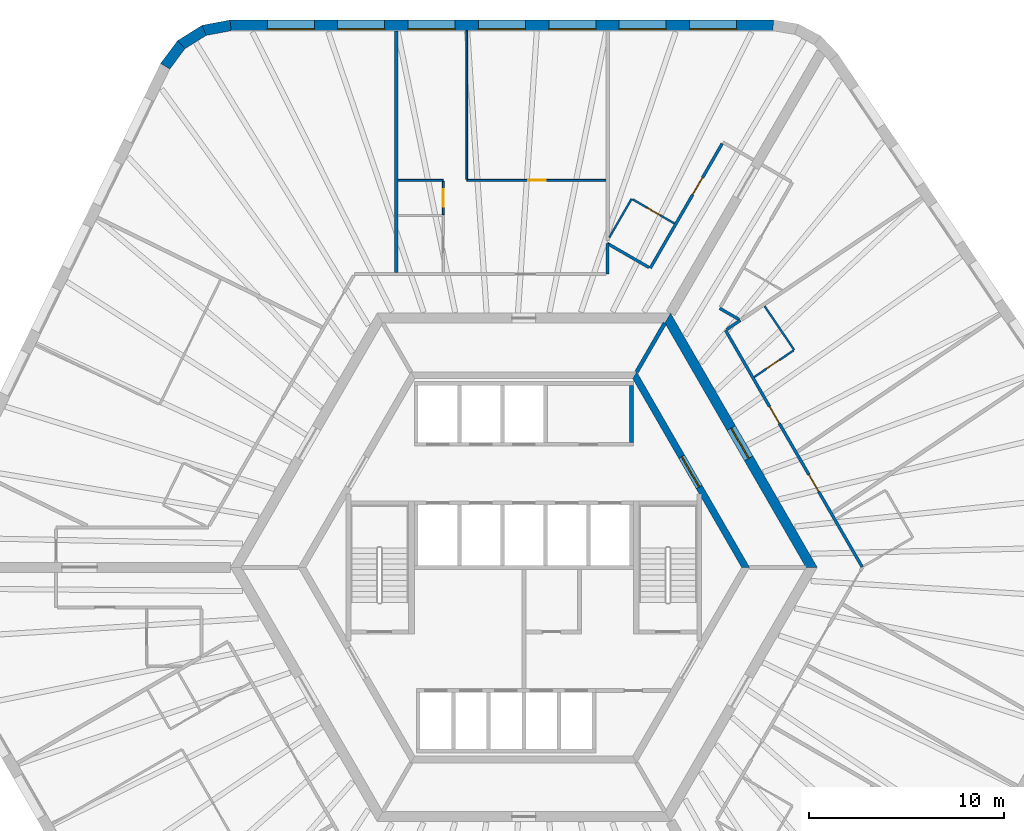
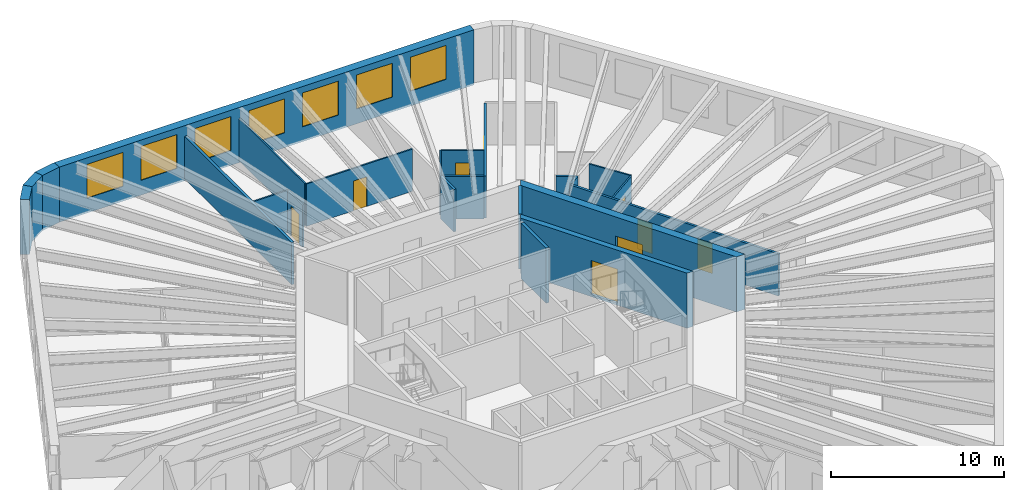
# One storey, part 8 of 10: 23 walls, 9 doors, 7 windows, 16 openings.
"""IFC4 building model written with IfcOpenShell, lengths in metres."""

from ifc_helpers import new_model, si_unit, direction, frame, frame_2d, origin, place, context, subcontext, project, spatial, polyline, rectangle, outline, extrude, material, layer, layer_set, type_object, element, fill, save


model = new_model("IFC4")

# Units and contexts
model_context = context("Model", 3, precision=1e-05, world=origin(), true_north=direction((0.0, 1.0)))
body_context = subcontext(model_context, "Body", "Model", "MODEL_VIEW")
ifc_project = project(units=[si_unit("LENGTHUNIT", "METRE"), si_unit("AREAUNIT", "SQUARE_METRE"), si_unit("VOLUMEUNIT", "CUBIC_METRE"), si_unit("PLANEANGLEUNIT", "RADIAN"), si_unit("MASSUNIT", "GRAM", prefix="KILO")], contexts=[model_context])

# Site, building, storey
site_placement = place(None, origin())
site = spatial("IfcSite", under=ifc_project, at=site_placement, CompositionType="ELEMENT")
building_placement = place(site_placement, origin())
building = spatial("IfcBuilding", under=site, at=building_placement, Name="Tarnside Tower", CompositionType="ELEMENT")
storey_placement = place(building_placement, frame((0.0, 0.0, 199.5)))
storey = spatial("IfcBuildingStorey", under=building, at=storey_placement, Name="L47", CompositionType="ELEMENT", Elevation=199.5)

# Wall
ifc_material_1 = material(Name="Gypsum board partition on steel studs", Category="steel")
ifc_layer_1 = layer(ifc_material_1, 0.10009765625)
ifc_layer_set_1 = layer_set([ifc_layer_1], Name="Bathroom wall 100")
wall_type_1 = type_object("IfcWallType", Name="Bathroom wall 100", PredefinedType="PARTITIONING", material=ifc_layer_set_1)
wall_1_placement = place(storey_placement, frame((4.3720703125, 16.872802734375, 0.0), z_axis=(0.0, 0.0, 1.0), x_axis=(0.500005641832, 0.866022146447, 0.0)))
element("IfcWall", 1, at=wall_1_placement, inside=storey, type_object=wall_type_1, Name="Bathroom wall 15050", PredefinedType="PARTITIONING", context=body_context, shape_type="SweptSolid", body=[
    extrude(rectangle(XDim=2.28857421875, YDim=0.10009765625, at=frame_2d((1.144287109375, 0.0))), origin(), (0.0, 0.0, 1.0), 2.98779296875),
])

# Wall, opening, door
wall_2_placement = place(storey_placement, frame((5.559814453125, 18.829833984375, 0.0), z_axis=(0.0, 0.0, 1.0), x_axis=(0.866006523861, -0.500032699561, 0.0)))
wall_2 = element("IfcWall", 2, at=wall_2_placement, inside=storey, type_object=wall_type_1, Name="Bathroom wall 15051", PredefinedType="PARTITIONING", context=body_context, shape_type="SweptSolid", body=[
    extrude(rectangle(XDim=2.474853515625, YDim=0.10009765625, at=frame_2d((1.2373046875, 0.0))), origin(), (0.0, 0.0, 1.0), 2.98779296875),
])
opening_1_placement = place(wall_2_placement, frame((0.85009765625, 0.0, 0.0)))
opening_1 = element("IfcOpeningElement", 3, at=opening_1_placement, cuts=wall_2, Name="Opening D-B1", PredefinedType="OPENING", context=body_context, shape_type="SweptSolid", body=[
    extrude(rectangle(XDim=0.800048828125, YDim=2.10009765625, at=frame_2d((0.39990234375, 1.050048828125))), frame((0.0, 0.06005859375, 0.0), z_axis=(0.0, -1.0, 0.0), x_axis=(1.0, 0.0, 0.0)), (0.0, 0.0, 1.0), 0.1201171875),
])
ifc_material_2 = material(Name="Timber door leaf", Category="wood")
door_type_1 = type_object("IfcDoorType", Name="Bathroom door 800", OperationType="NOTDEFINED", PredefinedType="DOOR", material=ifc_material_2)
door_1_placement = place(opening_1_placement, origin())
door_1 = element("IfcDoor", 4, at=door_1_placement, inside=storey, type_object=door_type_1, Name="Bathroom door 15002", OperationType="SINGLE_SWING_RIGHT", OverallHeight=2.10009765625, OverallWidth=0.800048828125, PredefinedType="DOOR", context=body_context, shape_type="SweptSolid", body=[
    extrude(rectangle(XDim=0.800048828125, YDim=2.10009765625, at=frame_2d((0.39990234375, 1.050048828125))), frame((0.0, 0.02490234375, 0.0), z_axis=(0.0, -1.0, 0.0), x_axis=(1.0, 0.0, 0.0)), (0.0, 0.0, 1.0), 0.050048828125),
])
fill(opening_1, door_1)

# Wall
wall_3_placement = place(storey_placement, frame((12.31689453125, 13.3642578125, 0.0), z_axis=(0.0, 0.0, 1.0), x_axis=(0.559203592691, -0.829030362485, 0.0)))
element("IfcWall", 5, at=wall_3_placement, inside=storey, type_object=wall_type_1, Name="Bathroom wall 15108", PredefinedType="PARTITIONING", context=body_context, shape_type="SweptSolid", body=[
    extrude(rectangle(XDim=2.7099609375, YDim=0.10009765625, at=frame_2d((1.35498046875, 0.0))), origin(), (0.0, 0.0, 1.0), 2.98779296875),
])

# Wall, opening, door
wall_4_placement = place(storey_placement, frame((13.790771484375, 11.089599609375, 0.0), z_axis=(0.0, 0.0, 1.0), x_axis=(-0.829056894888, -0.559164255866, 0.0)))
wall_4 = element("IfcWall", 6, at=wall_4_placement, inside=storey, type_object=wall_type_1, Name="Bathroom wall 15109", PredefinedType="PARTITIONING", context=body_context, shape_type="SweptSolid", body=[
    extrude(rectangle(XDim=2.4189453125, YDim=0.10009765625, at=frame_2d((1.20947265625, 0.0))), origin(), (0.0, 0.0, 1.0), 2.98779296875),
])
opening_2_placement = place(wall_4_placement, frame((0.85009765625, 0.0, 0.0)))
opening_2 = element("IfcOpeningElement", 7, at=opening_2_placement, cuts=wall_4, Name="Opening D-B1", PredefinedType="OPENING", context=body_context, shape_type="SweptSolid", body=[
    extrude(rectangle(XDim=0.800048828125, YDim=2.10009765625, at=frame_2d((0.39990234375, 1.050048828125))), frame((0.0, 0.06005859375, 0.0), z_axis=(0.0, -1.0, 0.0), x_axis=(1.0, 0.0, 0.0)), (0.0, 0.0, 1.0), 0.1201171875),
])
door_2_placement = place(opening_2_placement, origin())
door_2 = element("IfcDoor", 8, at=door_2_placement, inside=storey, type_object=door_type_1, Name="Bathroom door 15034", OperationType="SINGLE_SWING_LEFT", OverallHeight=2.10009765625, OverallWidth=0.800048828125, PredefinedType="DOOR", context=body_context, shape_type="SweptSolid", body=[
    extrude(rectangle(XDim=0.800048828125, YDim=2.10009765625, at=frame_2d((0.39990234375, 1.050048828125))), frame((0.0, 0.02490234375, 0.0), z_axis=(0.0, -1.0, 0.0), x_axis=(1.0, 0.0, 0.0)), (0.0, 0.0, 1.0), 0.050048828125),
])
fill(opening_2, door_2)

ifc_material_3 = material(Name="Concrete C50/60", Category="concrete")
ifc_layer_2 = layer(ifc_material_3, 0.35009765625)
ifc_layer_set_2 = layer_set([ifc_layer_2], Name="Core block wall 350 C50/60")
wall_type_2 = type_object("IfcWallType", Name="Core block wall 350 C50/60", PredefinedType="SHEAR", material=ifc_layer_set_2)
wall_5_placement = place(storey_placement, frame((11.344970703125, 0.0, -0.14990234375), z_axis=(0.0, 0.0, 1.0), x_axis=(-0.499995046907, 0.866028263435, 0.0)))
wall_5 = element("IfcWall", 9, at=wall_5_placement, inside=storey, type_object=wall_type_2, Name="L47 core block wall face 6", PredefinedType="SHEAR", context=body_context, shape_type="SweptSolid", body=[
    extrude(outline(polyline([(-0.10107421875, -0.175048828125), (11.44580078125, -0.175048828125), (11.24365234375, 0.175048828125), (0.10107421875, 0.175048828125), (-0.10107421875, -0.175048828125)])), origin(), (0.0, 0.0, 1.0), 3.89990234375),
])
opening_3_placement = place(wall_5_placement, frame((4.74365234375, 0.0, 0.14990234375)))
opening_3 = element("IfcOpeningElement", 10, at=opening_3_placement, cuts=wall_5, Name="Opening CD-LOB", PredefinedType="OPENING", context=body_context, shape_type="SweptSolid", body=[
    extrude(rectangle(XDim=1.800048828125, YDim=2.39990234375, at=frame_2d((0.89990234375, 1.199951171875))), frame((0.0, 0.18505859375, 0.0), z_axis=(0.0, -1.0, 0.0), x_axis=(1.0, 0.0, 0.0)), (0.0, 0.0, 1.0), 0.3701171875),
])
ifc_material_4 = material(Name="Steel fire door", Category="steel")
door_type_2 = type_object("IfcDoorType", Name="Lobby double door FD30S 1800x2400", OperationType="NOTDEFINED", PredefinedType="DOOR", material=ifc_material_4)
door_3_placement = place(opening_3_placement, origin())
door_3 = element("IfcDoor", 11, at=door_3_placement, inside=storey, type_object=door_type_2, Name="L47 lobby block door P2", OperationType="DOUBLE_DOOR_SINGLE_SWING", OverallHeight=2.39990234375, OverallWidth=1.800048828125, PredefinedType="DOOR", context=body_context, shape_type="SweptSolid", body=[
    extrude(rectangle(XDim=1.800048828125, YDim=2.39990234375, at=frame_2d((0.89990234375, 1.199951171875))), frame((0.0, 0.02490234375, 0.0), z_axis=(0.0, -1.0, 0.0), x_axis=(1.0, 0.0, 0.0)), (0.0, 0.0, 1.0), 0.050048828125),
])
fill(opening_3, door_3)

ifc_material_5 = material(Name="Concrete C70/85", Category="concrete")
ifc_layer_3 = layer(ifc_material_5, 0.5)
ifc_layer_set_3 = layer_set([ifc_layer_3], Name="Core wall Z2 500 C70/85")
wall_type_3 = type_object("IfcWallType", Name="Core wall Z2 500 C70/85", PredefinedType="SHEAR", material=ifc_layer_set_3)
wall_6_placement = place(storey_placement, frame((14.722412109375, 0.0, -0.14990234375), z_axis=(0.0, 0.0, 1.0), x_axis=(-0.50000571537, 0.866022103989, 0.0)))
wall_6 = element("IfcWall", 12, at=wall_6_placement, inside=storey, type_object=wall_type_3, Name="L47 core wall face 6", PredefinedType="SHEAR", context=body_context, shape_type="SweptSolid", body=[
    extrude(outline(polyline([(-0.144287109375, -0.25), (14.86669921875, -0.25), (14.578125, 0.25), (0.144287109375, 0.25), (-0.144287109375, -0.25)])), origin(), (0.0, 0.0, 1.0), 3.89990234375),
])
opening_4_placement = place(wall_6_placement, frame((6.432373046875, 0.0, 0.14990234375)))
opening_4 = element("IfcOpeningElement", 13, at=opening_4_placement, cuts=wall_6, Name="Opening CD-LOB", PredefinedType="OPENING", context=body_context, shape_type="SweptSolid", body=[
    extrude(rectangle(XDim=1.800048828125, YDim=2.39990234375, at=frame_2d((0.89990234375, 1.199951171875))), frame((0.0, 0.260009765625, 0.0), z_axis=(0.0, -1.0, 0.0), x_axis=(1.0, 0.0, 0.0)), (0.0, 0.0, 1.0), 0.52001953125),
])
door_4_placement = place(opening_4_placement, origin())
door_4 = element("IfcDoor", 14, at=door_4_placement, inside=storey, type_object=door_type_2, Name="L47 core door P2", OperationType="DOUBLE_DOOR_SINGLE_SWING", OverallHeight=2.39990234375, OverallWidth=1.800048828125, PredefinedType="DOOR", context=body_context, shape_type="SweptSolid", body=[
    extrude(rectangle(XDim=1.800048828125, YDim=2.39990234375, at=frame_2d((0.89990234375, 1.199951171875))), frame((0.0, 0.02490234375, 0.0), z_axis=(0.0, -1.0, 0.0), x_axis=(1.0, 0.0, 0.0)), (0.0, 0.0, 1.0), 0.050048828125),
])
fill(opening_4, door_4)

ifc_layer_4 = layer(ifc_material_1, 0.14990234375)
ifc_layer_set_4 = layer_set([ifc_layer_4], Name="Corridor wall 150 EI 60")
wall_type_4 = type_object("IfcWallType", Name="Corridor wall 150 EI 60", PredefinedType="PARTITIONING", material=ifc_layer_set_4)
wall_7_placement = place(storey_placement, frame((10.148681640625, 21.677978515625, 0.0), z_axis=(0.0, 0.0, 1.0), x_axis=(-0.500020076982, -0.866013812023, 0.0)))
wall_7 = element("IfcWall", 15, at=wall_7_placement, inside=storey, type_object=wall_type_4, Name="Corridor wall 15002", PredefinedType="PARTITIONING", context=body_context, shape_type="SweptSolid", body=[
    extrude(rectangle(XDim=7.361083984375, YDim=0.14990234375, at=frame_2d((3.6806640625, 0.0))), origin(), (0.0, 0.0, 1.0), 2.98779296875),
])
opening_5_placement = place(wall_7_placement, frame((2.01806640625, 0.0, 0.0)))
opening_5 = element("IfcOpeningElement", 16, at=opening_5_placement, cuts=wall_7, Name="Opening D-E1", PredefinedType="OPENING", context=body_context, shape_type="SweptSolid", body=[
    extrude(rectangle(XDim=1.0, YDim=2.10009765625, at=frame_2d((0.5, 1.050048828125))), frame((0.0, 0.0849609375, 0.0), z_axis=(0.0, -1.0, 0.0), x_axis=(1.0, 0.0, 0.0)), (0.0, 0.0, 1.0), 0.169921875),
])
door_type_3 = type_object("IfcDoorType", Name="Unit entrance door 1000 FD30S", OperationType="NOTDEFINED", PredefinedType="DOOR", material=ifc_material_2)
door_5_placement = place(opening_5_placement, origin())
door_5 = element("IfcDoor", 17, at=door_5_placement, inside=storey, type_object=door_type_3, Name="Unit door 15001", OperationType="SINGLE_SWING_LEFT", OverallHeight=2.10009765625, OverallWidth=1.0, PredefinedType="DOOR", context=body_context, shape_type="SweptSolid", body=[
    extrude(rectangle(XDim=1.0, YDim=2.10009765625, at=frame_2d((0.5, 1.050048828125))), frame((0.0, 0.02490234375, 0.0), z_axis=(0.0, -1.0, 0.0), x_axis=(1.0, 0.0, 0.0)), (0.0, 0.0, 1.0), 0.050048828125),
])
fill(opening_5, door_5)

# Walls
wall_8_placement = place(storey_placement, frame((6.403076171875, 15.340576171875, 0.0), z_axis=(0.0, 0.0, 1.0), x_axis=(-0.8660013066, 0.500041735226, 0.0)))
element("IfcWall", 18, at=wall_8_placement, inside=storey, type_object=wall_type_4, Name="Corridor wall 15004", PredefinedType="PARTITIONING", context=body_context, shape_type="SweptSolid", body=[
    extrude(rectangle(XDim=2.448974609375, YDim=0.14990234375, at=frame_2d((1.224609375, 0.0))), origin(), (0.0, 0.0, 1.0), 2.98779296875),
])
wall_9_placement = place(storey_placement, frame((4.2822265625, 16.569091796875, 0.0), z_axis=(0.0, 0.0, 1.0), x_axis=(0.0, -1.0, 0.0)))
element("IfcWall", 19, at=wall_9_placement, inside=storey, type_object=wall_type_4, Name="Corridor wall 15005", PredefinedType="PARTITIONING", context=body_context, shape_type="SweptSolid", body=[
    extrude(rectangle(XDim=1.569091796875, YDim=0.14990234375, at=frame_2d((0.78466796875, 0.0))), origin(), (0.0, 0.0, 1.0), 2.98779296875),
])

# Wall, openings, doors
wall_10_placement = place(storey_placement, frame((17.307861328125, 0.02197265625, 0.0), z_axis=(0.0, 0.0, 1.0), x_axis=(-0.500009245501, 0.866020065826, 0.0)))
wall_10 = element("IfcWall", 20, at=wall_10_placement, inside=storey, type_object=wall_type_4, Name="Corridor wall 15039", PredefinedType="PARTITIONING", context=body_context, shape_type="SweptSolid", body=[
    extrude(rectangle(XDim=13.976318359375, YDim=0.14990234375, at=frame_2d((6.98828125, 0.0))), origin(), (0.0, 0.0, 1.0), 2.98779296875),
])
opening_6_placement = place(wall_10_placement, frame((4.454345703125, 0.0, 0.0)))
opening_6 = element("IfcOpeningElement", 21, at=opening_6_placement, cuts=wall_10, Name="Opening D-E1", PredefinedType="OPENING", context=body_context, shape_type="SweptSolid", body=[
    extrude(rectangle(XDim=1.0, YDim=2.10009765625, at=frame_2d((0.5, 1.050048828125))), frame((0.0, 0.0849609375, 0.0), z_axis=(0.0, -1.0, 0.0), x_axis=(1.0, 0.0, 0.0)), (0.0, 0.0, 1.0), 0.169921875),
])
opening_7_placement = place(wall_10_placement, frame((8.470947265625, 0.0, 0.0)))
opening_7 = element("IfcOpeningElement", 22, at=opening_7_placement, cuts=wall_10, Name="Opening D-E1", PredefinedType="OPENING", context=body_context, shape_type="SweptSolid", body=[
    extrude(rectangle(XDim=1.0, YDim=2.10009765625, at=frame_2d((0.5, 1.050048828125))), frame((0.0, 0.0849609375, 0.0), z_axis=(0.0, -1.0, 0.0), x_axis=(1.0, 0.0, 0.0)), (0.0, 0.0, 1.0), 0.169921875),
])
door_6_placement = place(opening_6_placement, origin())
door_6 = element("IfcDoor", 23, at=door_6_placement, inside=storey, type_object=door_type_3, Name="Unit door 15032", OperationType="SINGLE_SWING_LEFT", OverallHeight=2.10009765625, OverallWidth=1.0, PredefinedType="DOOR", context=body_context, shape_type="SweptSolid", body=[
    extrude(rectangle(XDim=1.0, YDim=2.10009765625, at=frame_2d((0.5, 1.050048828125))), frame((0.0, 0.02490234375, 0.0), z_axis=(0.0, -1.0, 0.0), x_axis=(1.0, 0.0, 0.0)), (0.0, 0.0, 1.0), 0.050048828125),
])
fill(opening_6, door_6)
door_7_placement = place(opening_7_placement, origin())
door_7 = element("IfcDoor", 24, at=door_7_placement, inside=storey, type_object=door_type_3, Name="Unit door 15033", OperationType="SINGLE_SWING_RIGHT", OverallHeight=2.10009765625, OverallWidth=1.0, PredefinedType="DOOR", context=body_context, shape_type="SweptSolid", body=[
    extrude(rectangle(XDim=1.0, YDim=2.10009765625, at=frame_2d((0.5, 1.050048828125))), frame((0.0, 0.02490234375, 0.0), z_axis=(0.0, -1.0, 0.0), x_axis=(1.0, 0.0, 0.0)), (0.0, 0.0, 1.0), 0.050048828125),
])
fill(opening_7, door_7)

# Walls
wall_11_placement = place(storey_placement, frame((10.382080078125, 12.167724609375, 0.0), z_axis=(0.0, 0.0, 1.0), x_axis=(0.828935479655, 0.559344232623, 0.0)))
element("IfcWall", 25, at=wall_11_placement, inside=storey, type_object=wall_type_4, Name="Corridor wall 15045", PredefinedType="PARTITIONING", context=body_context, shape_type="SweptSolid", body=[
    extrude(rectangle(XDim=0.84765625, YDim=0.14990234375, at=frame_2d((0.423828125, 0.0))), origin(), (0.0, 0.0, 1.0), 2.98779296875),
])
wall_12_placement = place(storey_placement, frame((11.00927734375, 12.681396484375, 0.0), z_axis=(0.0, 0.0, 1.0), x_axis=(-0.86605406138, 0.499950360304, 0.0)))
element("IfcWall", 26, at=wall_12_placement, inside=storey, type_object=wall_type_4, Name="Corridor wall 15048", PredefinedType="PARTITIONING", context=body_context, shape_type="SweptSolid", body=[
    extrude(rectangle(XDim=1.1435546875, YDim=0.14990234375, at=frame_2d((0.57177734375, 0.0))), origin(), (0.0, 0.0, 1.0), 2.98779296875),
])
ifc_layer_5 = layer(ifc_material_1, 0.179931640625)
ifc_layer_set_5 = layer_set([ifc_layer_5], Name="Demising wall 180 EI 60")
wall_type_5 = type_object("IfcWallType", Name="Demising wall 180 EI 60", PredefinedType="PARTITIONING", material=ifc_layer_set_5)
wall_13_placement = place(storey_placement, frame((-6.517822265625, 27.449951171875, 0.0), z_axis=(0.0, 0.0, 1.0), x_axis=(0.0, -1.0, 0.0)))
element("IfcWall", 27, at=wall_13_placement, inside=storey, type_object=wall_type_5, Name="Demising wall 15059", PredefinedType="PARTITIONING", context=body_context, shape_type="SweptSolid", body=[
    extrude(rectangle(XDim=12.375, YDim=0.179931640625, at=frame_2d((6.1875, 0.0))), origin(), (0.0, 0.0, 1.0), 2.98779296875),
])
ifc_material_6 = material(Name="Concrete C40/50", Category="concrete")
ifc_layer_6 = layer(ifc_material_6, 0.199951171875)
ifc_layer_set_6 = layer_set([ifc_layer_6], Name="Lift shaft wall 200 C40/50")
wall_type_6 = type_object("IfcWallType", Name="Lift shaft wall 200 C40/50", PredefinedType="SHEAR", material=ifc_layer_set_6)
wall_14_placement = place(storey_placement, frame((5.5, 6.39990234375, -0.25), z_axis=(0.0, 0.0, 1.0), x_axis=(0.0, 1.0, 0.0)))
element("IfcWall", 28, at=wall_14_placement, inside=storey, type_object=wall_type_6, Name="L47 lift shaft partition R16", PredefinedType="SHEAR", context=body_context, shape_type="SweptSolid", body=[
    extrude(rectangle(XDim=2.900146484375, YDim=0.199951171875, at=frame_2d((1.4501953125, 0.0))), origin(), (0.0, 0.0, 1.0), 3.89990234375),
])
wall_15_placement = place(storey_placement, frame((5.7734375, 10.0, -0.14990234375), z_axis=(0.0, 0.0, 1.0), x_axis=(0.499995765644, 0.866027848477, 0.0)))
element("IfcWall", 29, at=wall_15_placement, inside=storey, type_object=wall_type_6, Name="L47 core partition AR60", PredefinedType="SHEAR", context=body_context, shape_type="SweptSolid", body=[
    extrude(rectangle(XDim=2.88671875, YDim=0.199951171875, at=frame_2d((1.443359375, 0.0))), origin(), (0.0, 0.0, 1.0), 3.89990234375),
])
ifc_layer_7 = layer(ifc_material_1, 0.10009765625)
ifc_layer_set_7 = layer_set([ifc_layer_7], Name="Partition 100")
wall_type_7 = type_object("IfcWallType", Name="Partition 100", PredefinedType="PARTITIONING", material=ifc_layer_set_7)
wall_16_placement = place(storey_placement, frame((-6.427978515625, 19.800048828125, 0.0), z_axis=(0.0, 0.0, 1.0), x_axis=(1.0, 0.0, 0.0)))
element("IfcWall", 30, at=wall_16_placement, inside=storey, type_object=wall_type_7, Name="Partition wall 15055", PredefinedType="PARTITIONING", context=body_context, shape_type="SweptSolid", body=[
    extrude(rectangle(XDim=2.31005859375, YDim=0.10009765625, at=frame_2d((1.155029296875, 0.0))), origin(), (0.0, 0.0, 1.0), 2.98779296875),
])

# Wall, opening, door
wall_17_placement = place(storey_placement, frame((-4.117919921875, 19.75, 0.0), z_axis=(0.0, 0.0, 1.0), x_axis=(0.0, -1.0, 0.0)))
wall_17 = element("IfcWall", 31, at=wall_17_placement, inside=storey, type_object=wall_type_7, Name="Partition wall 15056", PredefinedType="PARTITIONING", context=body_context, shape_type="SweptSolid", body=[
    extrude(rectangle(XDim=1.699951171875, YDim=0.10009765625, at=frame_2d((0.85009765625, 0.0))), origin(), (0.0, 0.0, 1.0), 2.98779296875),
])
opening_8_placement = place(wall_17_placement, frame((0.39990234375, 0.0, 0.0)))
opening_8 = element("IfcOpeningElement", 32, at=opening_8_placement, cuts=wall_17, Name="Opening D-I1", PredefinedType="OPENING", context=body_context, shape_type="SweptSolid", body=[
    extrude(rectangle(XDim=0.89990234375, YDim=2.10009765625, at=frame_2d((0.449951171875, 1.050048828125))), frame((0.0, 0.06005859375, 0.0), z_axis=(0.0, -1.0, 0.0), x_axis=(1.0, 0.0, 0.0)), (0.0, 0.0, 1.0), 0.1201171875),
])
door_type_4 = type_object("IfcDoorType", Name="Internal door 900", OperationType="NOTDEFINED", PredefinedType="DOOR", material=ifc_material_2)
door_8_placement = place(opening_8_placement, origin())
door_8 = element("IfcDoor", 33, at=door_8_placement, inside=storey, type_object=door_type_4, Name="Internal door 15005", OperationType="SINGLE_SWING_LEFT", OverallHeight=2.10009765625, OverallWidth=0.89990234375, PredefinedType="DOOR", context=body_context, shape_type="SweptSolid", body=[
    extrude(rectangle(XDim=0.89990234375, YDim=2.10009765625, at=frame_2d((0.449951171875, 1.050048828125))), frame((0.0, 0.02490234375, 0.0), z_axis=(0.0, -1.0, 0.0), x_axis=(1.0, 0.0, 0.0)), (0.0, 0.0, 1.0), 0.050048828125),
])
fill(opening_8, door_8)

wall_18_placement = place(storey_placement, frame((4.192138671875, 19.800048828125, 0.0), z_axis=(0.0, 0.0, 1.0), x_axis=(-1.0, 0.0, 0.0)))
wall_18 = element("IfcWall", 34, at=wall_18_placement, inside=storey, type_object=wall_type_7, Name="Partition wall 15057", PredefinedType="PARTITIONING", context=body_context, shape_type="SweptSolid", body=[
    extrude(rectangle(XDim=7.110107421875, YDim=0.10009765625, at=frame_2d((3.55517578125, 0.0))), origin(), (0.0, 0.0, 1.0), 2.98779296875),
])
opening_9_placement = place(wall_18_placement, frame((3.06005859375, 0.0, 0.0)))
opening_9 = element("IfcOpeningElement", 35, at=opening_9_placement, cuts=wall_18, Name="Opening D-I1", PredefinedType="OPENING", context=body_context, shape_type="SweptSolid", body=[
    extrude(rectangle(XDim=0.89990234375, YDim=2.10009765625, at=frame_2d((0.449951171875, 1.050048828125))), frame((0.0, 0.06005859375, 0.0), z_axis=(0.0, -1.0, 0.0), x_axis=(1.0, 0.0, 0.0)), (0.0, 0.0, 1.0), 0.1201171875),
])
door_9_placement = place(opening_9_placement, origin())
door_9 = element("IfcDoor", 36, at=door_9_placement, inside=storey, type_object=door_type_4, Name="Internal door 15006", OperationType="SINGLE_SWING_RIGHT", OverallHeight=2.10009765625, OverallWidth=0.89990234375, PredefinedType="DOOR", context=body_context, shape_type="SweptSolid", body=[
    extrude(rectangle(XDim=0.89990234375, YDim=2.10009765625, at=frame_2d((0.449951171875, 1.050048828125))), frame((0.0, 0.02490234375, 0.0), z_axis=(0.0, -1.0, 0.0), x_axis=(1.0, 0.0, 0.0)), (0.0, 0.0, 1.0), 0.050048828125),
])
fill(opening_9, door_9)

# Wall
wall_19_placement = place(storey_placement, frame((-2.91796875, 19.85009765625, 0.0), z_axis=(0.0, 0.0, 1.0), x_axis=(0.0, 1.0, 0.0)))
element("IfcWall", 37, at=wall_19_placement, inside=storey, type_object=wall_type_7, Name="Partition wall 15058", PredefinedType="PARTITIONING", context=body_context, shape_type="SweptSolid", body=[
    extrude(rectangle(XDim=7.599853515625, YDim=0.10009765625, at=frame_2d((3.7998046875, 0.0))), origin(), (0.0, 0.0, 1.0), 2.98779296875),
])

# Wall, openings, windows
ifc_material_7 = material(Name="Facing brick", Category="masonry")
ifc_layer_8 = layer(ifc_material_7, 0.10205078125)
ifc_material_8 = material(Name="Concrete C60/75 precast", Category="concrete")
ifc_layer_9 = layer(ifc_material_8, 0.347900390625)
ifc_material_9 = material(Name="Mineral wool insulation")
ifc_layer_10 = layer(ifc_material_9, 0.10009765625)
ifc_layer_set_8 = layer_set([ifc_layer_8, ifc_layer_9, ifc_layer_10], Name="Tube wall 550 brick faced")
wall_type_8 = type_object("IfcWallType", Name="Tube wall 550 brick faced", PredefinedType="SOLIDWALL", material=ifc_layer_set_8)
wall_20_placement = place(storey_placement, frame((12.760986328125, 27.72509765625, -0.14990234375), z_axis=(0.0, 0.0, 1.0), x_axis=(-1.0, 0.0, 0.0)))
wall_20 = element("IfcWall", 38, at=wall_20_placement, inside=storey, type_object=wall_type_8, Name="Tube wall L47 F1 flush 00", PredefinedType="SOLIDWALL", context=body_context, shape_type="SweptSolid", body=[
    extrude(outline(polyline([(-0.0224609375, -0.27490234375), (27.783447265625, -0.27490234375), (27.732177734375, 0.27490234375), (0.0224609375, 0.27490234375), (-0.0224609375, -0.27490234375)])), origin(), (0.0, 0.0, 1.0), 3.89990234375),
])
opening_10_placement = place(wall_20_placement, frame((1.87890625, 0.0, 1.050048828125)))
opening_10 = element("IfcOpeningElement", 39, at=opening_10_placement, cuts=wall_20, Name="Opening WH", PredefinedType="OPENING", context=body_context, shape_type="SweptSolid", body=[
    extrude(rectangle(XDim=2.39990234375, YDim=2.39990234375, at=frame_2d((1.199951171875, 1.199951171875))), frame((0.0, 0.28515625, 0.0), z_axis=(0.0, -1.0, 0.0), x_axis=(1.0, 0.0, 0.0)), (0.0, 0.0, 1.0), 0.570068359375),
])
opening_11_placement = place(wall_20_placement, frame((5.47900390625, 0.0, 1.050048828125)))
opening_11 = element("IfcOpeningElement", 40, at=opening_11_placement, cuts=wall_20, Name="Opening WH", PredefinedType="OPENING", context=body_context, shape_type="SweptSolid", body=[
    extrude(rectangle(XDim=2.39990234375, YDim=2.39990234375, at=frame_2d((1.199951171875, 1.199951171875))), frame((0.0, 0.28515625, 0.0), z_axis=(0.0, -1.0, 0.0), x_axis=(1.0, 0.0, 0.0)), (0.0, 0.0, 1.0), 0.570068359375),
])
opening_12_placement = place(wall_20_placement, frame((9.078857421875, 0.0, 1.050048828125)))
opening_12 = element("IfcOpeningElement", 41, at=opening_12_placement, cuts=wall_20, Name="Opening WH", PredefinedType="OPENING", context=body_context, shape_type="SweptSolid", body=[
    extrude(rectangle(XDim=2.39990234375, YDim=2.39990234375, at=frame_2d((1.199951171875, 1.199951171875))), frame((0.0, 0.28515625, 0.0), z_axis=(0.0, -1.0, 0.0), x_axis=(1.0, 0.0, 0.0)), (0.0, 0.0, 1.0), 0.570068359375),
])
opening_13_placement = place(wall_20_placement, frame((12.678955078125, 0.0, 1.050048828125)))
opening_13 = element("IfcOpeningElement", 42, at=opening_13_placement, cuts=wall_20, Name="Opening WH", PredefinedType="OPENING", context=body_context, shape_type="SweptSolid", body=[
    extrude(rectangle(XDim=2.39990234375, YDim=2.39990234375, at=frame_2d((1.199951171875, 1.199951171875))), frame((0.0, 0.28515625, 0.0), z_axis=(0.0, -1.0, 0.0), x_axis=(1.0, 0.0, 0.0)), (0.0, 0.0, 1.0), 0.570068359375),
])
opening_14_placement = place(wall_20_placement, frame((16.27880859375, 0.0, 1.050048828125)))
opening_14 = element("IfcOpeningElement", 43, at=opening_14_placement, cuts=wall_20, Name="Opening WH", PredefinedType="OPENING", context=body_context, shape_type="SweptSolid", body=[
    extrude(rectangle(XDim=2.39990234375, YDim=2.39990234375, at=frame_2d((1.199951171875, 1.199951171875))), frame((0.0, 0.28515625, 0.0), z_axis=(0.0, -1.0, 0.0), x_axis=(1.0, 0.0, 0.0)), (0.0, 0.0, 1.0), 0.570068359375),
])
opening_15_placement = place(wall_20_placement, frame((19.87890625, 0.0, 1.050048828125)))
opening_15 = element("IfcOpeningElement", 44, at=opening_15_placement, cuts=wall_20, Name="Opening WH", PredefinedType="OPENING", context=body_context, shape_type="SweptSolid", body=[
    extrude(rectangle(XDim=2.39990234375, YDim=2.39990234375, at=frame_2d((1.199951171875, 1.199951171875))), frame((0.0, 0.28515625, 0.0), z_axis=(0.0, -1.0, 0.0), x_axis=(1.0, 0.0, 0.0)), (0.0, 0.0, 1.0), 0.570068359375),
])
opening_16_placement = place(wall_20_placement, frame((23.47900390625, 0.0, 1.050048828125)))
opening_16 = element("IfcOpeningElement", 45, at=opening_16_placement, cuts=wall_20, Name="Opening WH", PredefinedType="OPENING", context=body_context, shape_type="SweptSolid", body=[
    extrude(rectangle(XDim=2.39990234375, YDim=2.39990234375, at=frame_2d((1.199951171875, 1.199951171875))), frame((0.0, 0.28515625, 0.0), z_axis=(0.0, -1.0, 0.0), x_axis=(1.0, 0.0, 0.0)), (0.0, 0.0, 1.0), 0.570068359375),
])
ifc_material_10 = material(Name="Aluminium-framed double glazing", Category="aluminium")
window_type = type_object("IfcWindowType", Name="Hotel window 2400 x 2400", PartitioningType="DOUBLE_PANEL_VERTICAL", PredefinedType="WINDOW", material=ifc_material_10)
window_1_placement = place(opening_10_placement, frame((0.0, 0.205078125, 0.0)))
window_1 = element("IfcWindow", 46, at=window_1_placement, inside=storey, type_object=window_type, Name="E.WN.L47.F1.00", OverallHeight=2.39990234375, OverallWidth=2.39990234375, PartitioningType="DOUBLE_PANEL_VERTICAL", PredefinedType="WINDOW", context=body_context, shape_type="SweptSolid", body=[
    extrude(rectangle(XDim=2.39990234375, YDim=2.39990234375, at=frame_2d((1.199951171875, 1.199951171875))), frame((0.0, 0.030029296875, 0.0), z_axis=(0.0, -1.0, 0.0), x_axis=(1.0, 0.0, 0.0)), (0.0, 0.0, 1.0), 0.06005859375),
])
fill(opening_10, window_1)
window_2_placement = place(opening_11_placement, frame((0.0, 0.205078125, 0.0)))
window_2 = element("IfcWindow", 47, at=window_2_placement, inside=storey, type_object=window_type, Name="E.WN.L47.F1.01", OverallHeight=2.39990234375, OverallWidth=2.39990234375, PartitioningType="DOUBLE_PANEL_VERTICAL", PredefinedType="WINDOW", context=body_context, shape_type="SweptSolid", body=[
    extrude(rectangle(XDim=2.39990234375, YDim=2.39990234375, at=frame_2d((1.199951171875, 1.199951171875))), frame((0.0, 0.030029296875, 0.0), z_axis=(0.0, -1.0, 0.0), x_axis=(1.0, 0.0, 0.0)), (0.0, 0.0, 1.0), 0.06005859375),
])
fill(opening_11, window_2)
window_3_placement = place(opening_12_placement, frame((0.0, 0.205078125, 0.0)))
window_3 = element("IfcWindow", 48, at=window_3_placement, inside=storey, type_object=window_type, Name="E.WN.L47.F1.02", OverallHeight=2.39990234375, OverallWidth=2.39990234375, PartitioningType="DOUBLE_PANEL_VERTICAL", PredefinedType="WINDOW", context=body_context, shape_type="SweptSolid", body=[
    extrude(rectangle(XDim=2.39990234375, YDim=2.39990234375, at=frame_2d((1.199951171875, 1.199951171875))), frame((0.0, 0.030029296875, 0.0), z_axis=(0.0, -1.0, 0.0), x_axis=(1.0, 0.0, 0.0)), (0.0, 0.0, 1.0), 0.06005859375),
])
fill(opening_12, window_3)
window_4_placement = place(opening_13_placement, frame((0.0, 0.205078125, 0.0)))
window_4 = element("IfcWindow", 49, at=window_4_placement, inside=storey, type_object=window_type, Name="E.WN.L47.F1.03", OverallHeight=2.39990234375, OverallWidth=2.39990234375, PartitioningType="DOUBLE_PANEL_VERTICAL", PredefinedType="WINDOW", context=body_context, shape_type="SweptSolid", body=[
    extrude(rectangle(XDim=2.39990234375, YDim=2.39990234375, at=frame_2d((1.199951171875, 1.199951171875))), frame((0.0, 0.030029296875, 0.0), z_axis=(0.0, -1.0, 0.0), x_axis=(1.0, 0.0, 0.0)), (0.0, 0.0, 1.0), 0.06005859375),
])
fill(opening_13, window_4)
window_5_placement = place(opening_14_placement, frame((0.0, 0.205078125, 0.0)))
window_5 = element("IfcWindow", 50, at=window_5_placement, inside=storey, type_object=window_type, Name="E.WN.L47.F1.04", OverallHeight=2.39990234375, OverallWidth=2.39990234375, PartitioningType="DOUBLE_PANEL_VERTICAL", PredefinedType="WINDOW", context=body_context, shape_type="SweptSolid", body=[
    extrude(rectangle(XDim=2.39990234375, YDim=2.39990234375, at=frame_2d((1.199951171875, 1.199951171875))), frame((0.0, 0.030029296875, 0.0), z_axis=(0.0, -1.0, 0.0), x_axis=(1.0, 0.0, 0.0)), (0.0, 0.0, 1.0), 0.06005859375),
])
fill(opening_14, window_5)
window_6_placement = place(opening_15_placement, frame((0.0, 0.205078125, 0.0)))
window_6 = element("IfcWindow", 51, at=window_6_placement, inside=storey, type_object=window_type, Name="E.WN.L47.F1.05", OverallHeight=2.39990234375, OverallWidth=2.39990234375, PartitioningType="DOUBLE_PANEL_VERTICAL", PredefinedType="WINDOW", context=body_context, shape_type="SweptSolid", body=[
    extrude(rectangle(XDim=2.39990234375, YDim=2.39990234375, at=frame_2d((1.199951171875, 1.199951171875))), frame((0.0, 0.030029296875, 0.0), z_axis=(0.0, -1.0, 0.0), x_axis=(1.0, 0.0, 0.0)), (0.0, 0.0, 1.0), 0.06005859375),
])
fill(opening_15, window_6)
window_7_placement = place(opening_16_placement, frame((0.0, 0.205078125, 0.0)))
window_7 = element("IfcWindow", 52, at=window_7_placement, inside=storey, type_object=window_type, Name="E.WN.L47.F1.06", OverallHeight=2.39990234375, OverallWidth=2.39990234375, PartitioningType="DOUBLE_PANEL_VERTICAL", PredefinedType="WINDOW", context=body_context, shape_type="SweptSolid", body=[
    extrude(rectangle(XDim=2.39990234375, YDim=2.39990234375, at=frame_2d((1.199951171875, 1.199951171875))), frame((0.0, 0.030029296875, 0.0), z_axis=(0.0, -1.0, 0.0), x_axis=(1.0, 0.0, 0.0)), (0.0, 0.0, 1.0), 0.06005859375),
])
fill(opening_16, window_7)

# Walls
wall_21_placement = place(storey_placement, frame((-14.996826171875, 27.72509765625, -0.14990234375), z_axis=(0.0, 0.0, 1.0), x_axis=(-0.982705443133, -0.185175624845, 0.0)))
element("IfcWall", 53, at=wall_21_placement, inside=storey, type_object=wall_type_8, Name="Tube wall L47 F1 chord 01", PredefinedType="SOLIDWALL", context=body_context, shape_type="SweptSolid", body=[
    extrude(outline(polyline([(-0.025634765625, -0.27490234375), (1.430908203125, -0.27490234375), (1.327392578125, 0.27490234375), (0.025634765625, 0.27490234375), (-0.025634765625, -0.27490234375)])), origin(), (0.0, 0.0, 1.0), 3.89990234375),
])
wall_22_placement = place(storey_placement, frame((-16.35205078125, 27.4697265625, -0.14990234375), z_axis=(0.0, 0.0, 1.0), x_axis=(-0.848057977594, -0.5299034503, 0.0)))
element("IfcWall", 54, at=wall_22_placement, inside=storey, type_object=wall_type_8, Name="Tube wall L47 F1 chord 02", PredefinedType="SOLIDWALL", context=body_context, shape_type="SweptSolid", body=[
    extrude(outline(polyline([(-0.0517578125, -0.27490234375), (1.4306640625, -0.27490234375), (1.3271484375, 0.27490234375), (0.0517578125, 0.27490234375), (-0.0517578125, -0.27490234375)])), origin(), (0.0, 0.0, 1.0), 3.89990234375),
])
wall_23_placement = place(storey_placement, frame((-17.521484375, 26.739013671875, -0.14990234375), z_axis=(0.0, 0.0, 1.0), x_axis=(-0.597135295884, -0.802140535324, 0.0)))
element("IfcWall", 55, at=wall_23_placement, inside=storey, type_object=wall_type_8, Name="Tube wall L47 F1 chord 03", PredefinedType="SOLIDWALL", context=body_context, shape_type="SweptSolid", body=[
    extrude(outline(polyline([(-0.0517578125, -0.27490234375), (1.40478515625, -0.27490234375), (1.353515625, 0.27490234375), (0.0517578125, 0.27490234375), (-0.0517578125, -0.27490234375)])), origin(), (0.0, 0.0, 1.0), 3.89990234375),
])

save(model, "model.ifc")
